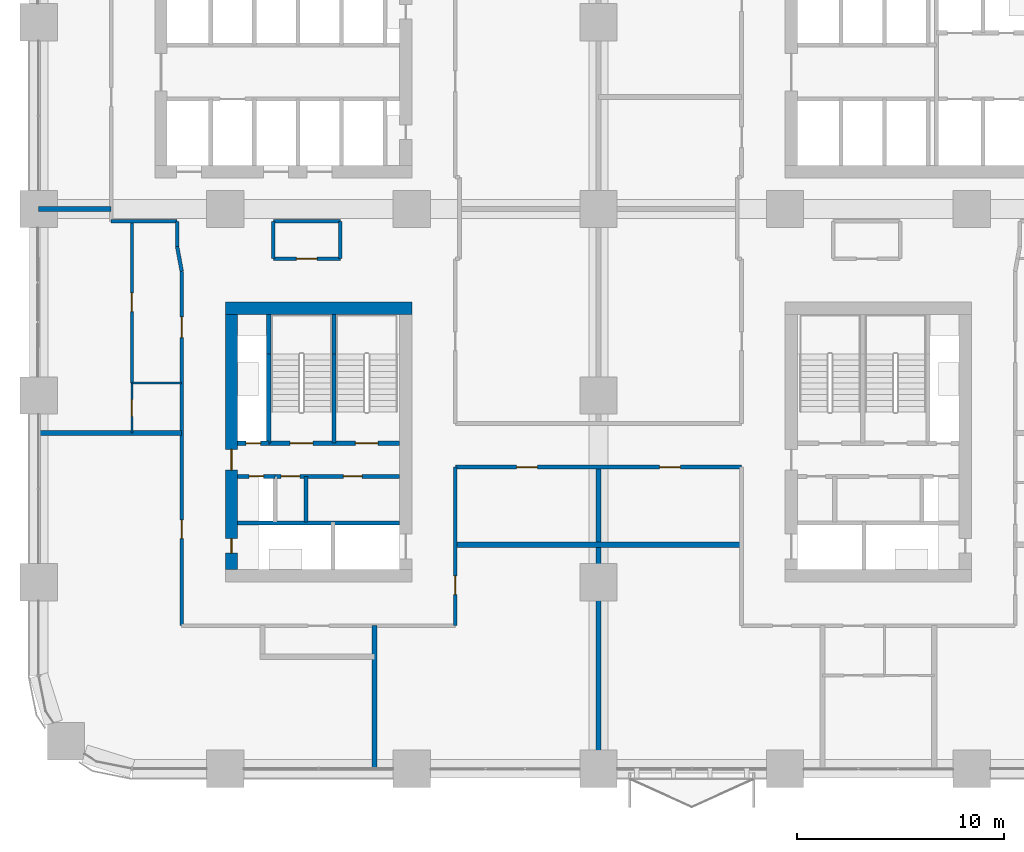
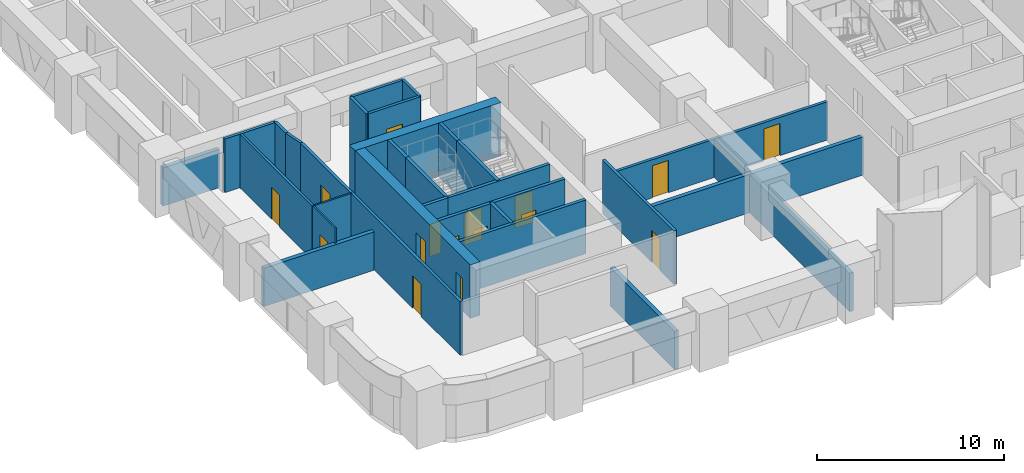
# One storey, part 13 of 22: 30 walls, 16 doors, 16 openings.
"""IFC4 building model written with IfcOpenShell, lengths in metres."""

from ifc_helpers import new_model, si_unit, direction, frame, frame_2d, origin, place, context, subcontext, project, spatial, rectangle, extrude, material, layer, layer_set, type_object, element, fill, save


model = new_model("IFC4")

# Units and contexts
model_context = context("Model", 3, precision=1e-05, world=origin(), true_north=direction((0.0, 1.0)))
body_context = subcontext(model_context, "Body", "Model", "MODEL_VIEW")
ifc_project = project(units=[si_unit("LENGTHUNIT", "METRE"), si_unit("AREAUNIT", "SQUARE_METRE"), si_unit("VOLUMEUNIT", "CUBIC_METRE"), si_unit("PLANEANGLEUNIT", "RADIAN"), si_unit("MASSUNIT", "GRAM", prefix="KILO")], contexts=[model_context])

# Site, building, storey
site_placement = place(None, origin())
site = spatial("IfcSite", under=ifc_project, at=site_placement, CompositionType="ELEMENT")
building_placement = place(site_placement, origin())
building = spatial("IfcBuilding", under=site, at=building_placement, Name="Tessera Arch", CompositionType="ELEMENT")
storey_placement = place(building_placement, frame((0.0, 0.0, 53.800048828125)))
storey = spatial("IfcBuildingStorey", under=building, at=storey_placement, Name="L11", CompositionType="ELEMENT", Elevation=53.800048828125)

# Wall
ifc_material_1 = material(Name="Gypsum board on steel stud", Category="steel")
ifc_layer_1 = layer(ifc_material_1, 0.125)
ifc_layer_set_1 = layer_set([ifc_layer_1], Name="Core partition 125 EI 60")
wall_type_1 = type_object("IfcWallType", Name="Core partition 125 EI 60", PredefinedType="PARTITIONING", material=ifc_layer_set_1)
wall_1_placement = place(storey_placement, frame((12.89990234375, 11.89990234375, 0.0), z_axis=(0.0, 0.0, 1.0), x_axis=(0.0, 1.0, 0.0)))
element("IfcWall", 1, at=wall_1_placement, inside=storey, type_object=wall_type_1, Name="L11 C4 partition wall 4", PredefinedType="PARTITIONING", context=body_context, shape_type="SweptSolid", body=[
    extrude(rectangle(XDim=2.2001953125, YDim=0.199951171875, at=frame_2d((1.10009765625, 0.0))), origin(), (0.0, 0.0, 1.0), 3.5),
])

# Wall, openings, doors
wall_2_placement = place(storey_placement, frame((11.39990234375, 14.10009765625, 0.0), z_axis=(0.0, 0.0, 1.0), x_axis=(1.0, 0.0, 0.0)))
wall_2 = element("IfcWall", 2, at=wall_2_placement, inside=storey, type_object=wall_type_1, Name="L11 C4 partition wall 9", PredefinedType="PARTITIONING", context=body_context, shape_type="SweptSolid", body=[
    extrude(rectangle(XDim=6.0, YDim=0.199951171875, at=frame_2d((3.0, 0.0))), origin(), (0.0, 0.0, 1.0), 3.5),
])
opening_1_placement = place(wall_2_placement, frame((0.300048828125, 0.0, 0.0)))
opening_1 = element("IfcOpeningElement", 3, at=opening_1_placement, cuts=wall_2, Name="Opening L11-C47", PredefinedType="OPENING", context=body_context, shape_type="SweptSolid", body=[
    extrude(rectangle(XDim=0.89990234375, YDim=2.10009765625, at=frame_2d((0.449951171875, 1.050048828125))), frame((0.0, 0.10986328125, 0.0), z_axis=(0.0, -1.0, 0.0), x_axis=(1.0, 0.0, 0.0)), (0.0, 0.0, 1.0), 0.219970703125),
])
opening_2_placement = place(wall_2_placement, frame((3.300048828125, 0.0, 0.0)))
opening_2 = element("IfcOpeningElement", 4, at=opening_2_placement, cuts=wall_2, Name="Opening L11-C48", PredefinedType="OPENING", context=body_context, shape_type="SweptSolid", body=[
    extrude(rectangle(XDim=0.89990234375, YDim=2.10009765625, at=frame_2d((0.449951171875, 1.050048828125))), frame((0.0, 0.10986328125, 0.0), z_axis=(0.0, -1.0, 0.0), x_axis=(1.0, 0.0, 0.0)), (0.0, 0.0, 1.0), 0.219970703125),
])
ifc_material_2 = material(Name="Steel door leaf", Category="steel")
door_type_1 = type_object("IfcDoorType", Name="Store door FD30S 900 x 2100", OperationType="SINGLE_SWING_LEFT", PredefinedType="DOOR", material=ifc_material_2)
door_1_placement = place(opening_1_placement, origin())
door_1 = element("IfcDoor", 5, at=door_1_placement, inside=storey, type_object=door_type_1, Name="L11 C4 door 8 C47 type D09", OperationType="SINGLE_SWING_LEFT", OverallHeight=2.10009765625, OverallWidth=0.89990234375, PredefinedType="DOOR", context=body_context, shape_type="SweptSolid", body=[
    extrude(rectangle(XDim=0.89990234375, YDim=2.10009765625, at=frame_2d((0.449951171875, 1.050048828125))), frame((0.0, 0.02490234375, 0.0), z_axis=(0.0, -1.0, 0.0), x_axis=(1.0, 0.0, 0.0)), (0.0, 0.0, 1.0), 0.050048828125),
])
fill(opening_1, door_1)
door_2_placement = place(opening_2_placement, origin())
door_2 = element("IfcDoor", 6, at=door_2_placement, inside=storey, type_object=door_type_1, Name="L11 C4 door 9 C48 type D09", OperationType="SINGLE_SWING_RIGHT", OverallHeight=2.10009765625, OverallWidth=0.89990234375, PredefinedType="DOOR", context=body_context, shape_type="SweptSolid", body=[
    extrude(rectangle(XDim=0.89990234375, YDim=2.10009765625, at=frame_2d((0.449951171875, 1.050048828125))), frame((0.0, 0.02490234375, 0.0), z_axis=(0.0, -1.0, 0.0), x_axis=(1.0, 0.0, 0.0)), (0.0, 0.0, 1.0), 0.050048828125),
])
fill(opening_2, door_2)

# Wall
ifc_material_3 = material(Name="Concrete C70/85", Category="concrete")
ifc_layer_2 = layer(ifc_material_3, 0.60009765625)
ifc_layer_set_2 = layer_set([ifc_layer_2], Name="Core shell wall 600 C70-85")
wall_type_2 = type_object("IfcWallType", Name="Core shell wall 600 C70-85", PredefinedType="SHEAR", material=ifc_layer_set_2)
wall_3_placement = place(storey_placement, frame((9.0, 22.199951171875, 0.0), z_axis=(0.0, 0.0, 1.0), x_axis=(1.0, 0.0, 0.0)))
element("IfcWall", 7, at=wall_3_placement, inside=storey, type_object=wall_type_2, Name="L11 C4 core wall N", PredefinedType="SHEAR", context=body_context, shape_type="SweptSolid", body=[
    extrude(rectangle(XDim=9.0, YDim=0.60009765625, at=frame_2d((4.5, 0.0))), origin(), (0.0, 0.0, 1.0), 3.5),
])

# Wall, openings, doors
wall_4_placement = place(storey_placement, frame((9.300048828125, 9.60009765625, 0.0), z_axis=(0.0, 0.0, 1.0), x_axis=(0.0, 1.0, 0.0)))
wall_4 = element("IfcWall", 8, at=wall_4_placement, inside=storey, type_object=wall_type_2, Name="L11 C4 core wall W", PredefinedType="SHEAR", context=body_context, shape_type="SweptSolid", body=[
    extrude(rectangle(XDim=12.2998046875, YDim=0.60009765625, at=frame_2d((6.14990234375, 0.0))), origin(), (0.0, 0.0, 1.0), 3.5),
])
opening_3_placement = place(wall_4_placement, frame((0.800048828125, 0.0, 0.0)))
opening_3 = element("IfcOpeningElement", 9, at=opening_3_placement, cuts=wall_4, Name="Opening L11-C45", PredefinedType="OPENING", context=body_context, shape_type="SweptSolid", body=[
    extrude(rectangle(XDim=0.699951171875, YDim=2.10009765625, at=frame_2d((0.35009765625, 1.050048828125))), frame((0.0, 0.31005859375, 0.0), z_axis=(0.0, -1.0, 0.0), x_axis=(1.0, 0.0, 0.0)), (0.0, 0.0, 1.0), 0.6201171875),
])
opening_4_placement = place(wall_4_placement, frame((4.800048828125, 0.0, 0.0)))
opening_4 = element("IfcOpeningElement", 10, at=opening_4_placement, cuts=wall_4, Name="Opening L11-C46", PredefinedType="OPENING", context=body_context, shape_type="SweptSolid", body=[
    extrude(rectangle(XDim=1.0, YDim=2.10009765625, at=frame_2d((0.5, 1.050048828125))), frame((0.0, 0.31005859375, 0.0), z_axis=(0.0, -1.0, 0.0), x_axis=(1.0, 0.0, 0.0)), (0.0, 0.0, 1.0), 0.6201171875),
])
ifc_material_4 = material(Name="Steel door leaf", Category="steel")
door_type_2 = type_object("IfcDoorType", Name="Corridor door FD60 1000 x 2100", OperationType="SINGLE_SWING_LEFT", PredefinedType="DOOR", material=ifc_material_4)
door_3_placement = place(opening_4_placement, origin())
door_3 = element("IfcDoor", 11, at=door_3_placement, inside=storey, type_object=door_type_2, Name="L11 C4 door 7 C46 type D12", OperationType="SINGLE_SWING_LEFT", OverallHeight=2.10009765625, OverallWidth=1.0, PredefinedType="DOOR", context=body_context, shape_type="SweptSolid", body=[
    extrude(rectangle(XDim=1.0, YDim=2.10009765625, at=frame_2d((0.5, 1.050048828125))), frame((0.0, 0.02490234375, 0.0), z_axis=(0.0, -1.0, 0.0), x_axis=(1.0, 0.0, 0.0)), (0.0, 0.0, 1.0), 0.050048828125),
])
fill(opening_4, door_3)
ifc_material_5 = material(Name="Steel door leaf", Category="steel")
door_type_3 = type_object("IfcDoorType", Name="Service shaft door FD60 700 x 2100", OperationType="SINGLE_SWING_LEFT", PredefinedType="DOOR", material=ifc_material_5)
door_4_placement = place(opening_3_placement, origin())
door_4 = element("IfcDoor", 12, at=door_4_placement, inside=storey, type_object=door_type_3, Name="L11 C4 door 6 C45 type D07", OperationType="SINGLE_SWING_LEFT", OverallHeight=2.10009765625, OverallWidth=0.699951171875, PredefinedType="DOOR", context=body_context, shape_type="SweptSolid", body=[
    extrude(rectangle(XDim=0.699951171875, YDim=2.10009765625, at=frame_2d((0.35009765625, 1.050048828125))), frame((0.0, 0.02490234375, 0.0), z_axis=(0.0, -1.0, 0.0), x_axis=(1.0, 0.0, 0.0)), (0.0, 0.0, 1.0), 0.050048828125),
])
fill(opening_3, door_4)

ifc_material_6 = material(Name="Gypsum board on deep steel stud with mineral wool", Category="steel")
ifc_layer_3 = layer(ifc_material_6, 0.175048828125)
ifc_layer_set_3 = layer_set([ifc_layer_3], Name="Corridor wall 175 EI 60")
wall_type_3 = type_object("IfcWallType", Name="Corridor wall 175 EI 60", PredefinedType="PARTITIONING", material=ifc_layer_set_3)
wall_5_placement = place(storey_placement, frame((20.10009765625, 14.550048828125, 0.0), z_axis=(0.0, 0.0, 1.0), x_axis=(1.0, 0.0, 0.0)))
wall_5 = element("IfcWall", 13, at=wall_5_placement, inside=storey, type_object=wall_type_3, Name="L11 partition 3", PredefinedType="PARTITIONING", context=body_context, shape_type="SweptSolid", body=[
    extrude(rectangle(XDim=13.7998046875, YDim=0.175048828125, at=frame_2d((6.89990234375, 0.0))), origin(), (0.0, 0.0, 1.0), 2.5),
])
opening_5_placement = place(wall_5_placement, frame((2.949951171875, 0.0, 0.0)))
opening_5 = element("IfcOpeningElement", 14, at=opening_5_placement, cuts=wall_5, Name="Opening L11-D009", PredefinedType="OPENING", context=body_context, shape_type="SweptSolid", body=[
    extrude(rectangle(XDim=1.0, YDim=2.10009765625, at=frame_2d((0.5, 1.050048828125))), frame((0.0, 0.097412109375, 0.0), z_axis=(0.0, -1.0, 0.0), x_axis=(1.0, 0.0, 0.0)), (0.0, 0.0, 1.0), 0.195068359375),
])
opening_6_placement = place(wall_5_placement, frame((9.85009765625, 0.0, 0.0)))
opening_6 = element("IfcOpeningElement", 15, at=opening_6_placement, cuts=wall_5, Name="Opening L11-D010", PredefinedType="OPENING", context=body_context, shape_type="SweptSolid", body=[
    extrude(rectangle(XDim=1.0, YDim=2.10009765625, at=frame_2d((0.5, 1.050048828125))), frame((0.0, 0.097412109375, 0.0), z_axis=(0.0, -1.0, 0.0), x_axis=(1.0, 0.0, 0.0)), (0.0, 0.0, 1.0), 0.195068359375),
])
ifc_material_7 = material(Name="Fire-rated door leaf")
door_type_4 = type_object("IfcDoorType", Name="Entrance door FD30S 1000 x 2100", OperationType="SINGLE_SWING_LEFT", PredefinedType="DOOR", material=ifc_material_7)
door_5_placement = place(opening_5_placement, origin())
door_5 = element("IfcDoor", 16, at=door_5_placement, inside=storey, type_object=door_type_4, Name="L11 door D009 type D03", OperationType="SINGLE_SWING_RIGHT", OverallHeight=2.10009765625, OverallWidth=1.0, PredefinedType="DOOR", context=body_context, shape_type="SweptSolid", body=[
    extrude(rectangle(XDim=1.0, YDim=2.10009765625, at=frame_2d((0.5, 1.050048828125))), frame((0.0, 0.02490234375, 0.0), z_axis=(0.0, -1.0, 0.0), x_axis=(1.0, 0.0, 0.0)), (0.0, 0.0, 1.0), 0.050048828125),
])
fill(opening_5, door_5)
door_6_placement = place(opening_6_placement, origin())
door_6 = element("IfcDoor", 17, at=door_6_placement, inside=storey, type_object=door_type_4, Name="L11 door D010 type D03", OperationType="SINGLE_SWING_LEFT", OverallHeight=2.10009765625, OverallWidth=1.0, PredefinedType="DOOR", context=body_context, shape_type="SweptSolid", body=[
    extrude(rectangle(XDim=1.0, YDim=2.10009765625, at=frame_2d((0.5, 1.050048828125))), frame((0.0, 0.02490234375, 0.0), z_axis=(0.0, -1.0, 0.0), x_axis=(1.0, 0.0, 0.0)), (0.0, 0.0, 1.0), 0.050048828125),
])
fill(opening_6, door_6)

# Wall, opening, door
wall_6_placement = place(storey_placement, frame((11.320068359375, 24.60009765625, 0.0), z_axis=(0.0, 0.0, 1.0), x_axis=(1.0, 0.0, 0.0)))
wall_6 = element("IfcWall", 18, at=wall_6_placement, inside=storey, type_object=wall_type_3, Name="L11 partition 7", PredefinedType="PARTITIONING", context=body_context, shape_type="SweptSolid", body=[
    extrude(rectangle(XDim=3.22998046875, YDim=0.175048828125, at=frame_2d((1.614990234375, 0.0))), origin(), (0.0, 0.0, 1.0), 3.5),
])
opening_7_placement = place(wall_6_placement, frame((1.114990234375, 0.0, 0.0)))
opening_7 = element("IfcOpeningElement", 19, at=opening_7_placement, cuts=wall_6, Name="Opening L11-D022", PredefinedType="OPENING", context=body_context, shape_type="SweptSolid", body=[
    extrude(rectangle(XDim=1.0, YDim=2.10009765625, at=frame_2d((0.5, 1.050048828125))), frame((0.0, 0.097412109375, 0.0), z_axis=(0.0, -1.0, 0.0), x_axis=(1.0, 0.0, 0.0)), (0.0, 0.0, 1.0), 0.195068359375),
])
door_7_placement = place(opening_7_placement, origin())
door_7 = element("IfcDoor", 20, at=door_7_placement, inside=storey, type_object=door_type_4, Name="L11 door D022 type D03", OperationType="SINGLE_SWING_RIGHT", OverallHeight=2.10009765625, OverallWidth=1.0, PredefinedType="DOOR", context=body_context, shape_type="SweptSolid", body=[
    extrude(rectangle(XDim=1.0, YDim=2.10009765625, at=frame_2d((0.5, 1.050048828125))), frame((0.0, 0.02490234375, 0.0), z_axis=(0.0, -1.0, 0.0), x_axis=(1.0, 0.0, 0.0)), (0.0, 0.0, 1.0), 0.050048828125),
])
fill(opening_7, door_7)

# Walls
wall_7_placement = place(storey_placement, frame((3.5, 26.39990234375, 0.0), z_axis=(0.0, 0.0, 1.0), x_axis=(1.0, 0.0, 0.0)))
element("IfcWall", 21, at=wall_7_placement, inside=storey, type_object=wall_type_3, Name="L11 partition 9", PredefinedType="PARTITIONING", context=body_context, shape_type="SweptSolid", body=[
    extrude(rectangle(XDim=3.179931640625, YDim=0.175048828125, at=frame_2d((1.58984375, 0.0))), origin(), (0.0, 0.0, 1.0), 3.5),
])
wall_8_placement = place(storey_placement, frame((11.320068359375, 26.39990234375, 0.0), z_axis=(0.0, 0.0, 1.0), x_axis=(1.0, 0.0, 0.0)))
element("IfcWall", 22, at=wall_8_placement, inside=storey, type_object=wall_type_3, Name="L11 partition 10", PredefinedType="PARTITIONING", context=body_context, shape_type="SweptSolid", body=[
    extrude(rectangle(XDim=3.22998046875, YDim=0.175048828125, at=frame_2d((1.614990234375, 0.0))), origin(), (0.0, 0.0, 1.0), 3.5),
])
wall_9_placement = place(storey_placement, frame((6.679931640625, 25.18994140625, 0.0), z_axis=(0.0, 0.0, 1.0), x_axis=(0.0, 1.0, 0.0)))
element("IfcWall", 23, at=wall_9_placement, inside=storey, type_object=wall_type_3, Name="L11 partition 20", PredefinedType="PARTITIONING", context=body_context, shape_type="SweptSolid", body=[
    extrude(rectangle(XDim=1.2099609375, YDim=0.175048828125, at=frame_2d((0.60498046875, 0.0))), origin(), (0.0, 0.0, 1.0), 3.5),
])

# Wall, openings, doors
wall_10_placement = place(storey_placement, frame((6.89990234375, 6.89990234375, 0.0), z_axis=(0.0, 0.0, 1.0), x_axis=(0.0, 1.0, 0.0)))
wall_10 = element("IfcWall", 24, at=wall_10_placement, inside=storey, type_object=wall_type_3, Name="L11 partition 21", PredefinedType="PARTITIONING", context=body_context, shape_type="SweptSolid", body=[
    extrude(rectangle(XDim=17.090087890625, YDim=0.175048828125, at=frame_2d((8.544921875, 0.0))), origin(), (0.0, 0.0, 1.0), 3.5),
])
opening_8_placement = place(wall_10_placement, frame((4.199951171875, 0.0, 0.0)))
opening_8 = element("IfcOpeningElement", 25, at=opening_8_placement, cuts=wall_10, Name="Opening L11-D008", PredefinedType="OPENING", context=body_context, shape_type="SweptSolid", body=[
    extrude(rectangle(XDim=0.89990234375, YDim=2.10009765625, at=frame_2d((0.449951171875, 1.050048828125))), frame((0.0, 0.097412109375, 0.0), z_axis=(0.0, -1.0, 0.0), x_axis=(1.0, 0.0, 0.0)), (0.0, 0.0, 1.0), 0.195068359375),
])
opening_9_placement = place(wall_10_placement, frame((13.89501953125, 0.0, 0.0)))
opening_9 = element("IfcOpeningElement", 26, at=opening_9_placement, cuts=wall_10, Name="Opening L11-D014", PredefinedType="OPENING", context=body_context, shape_type="SweptSolid", body=[
    extrude(rectangle(XDim=1.0, YDim=2.10009765625, at=frame_2d((0.5, 1.050048828125))), frame((0.0, 0.097412109375, 0.0), z_axis=(0.0, -1.0, 0.0), x_axis=(1.0, 0.0, 0.0)), (0.0, 0.0, 1.0), 0.195068359375),
])
door_8_placement = place(opening_9_placement, origin())
door_8 = element("IfcDoor", 27, at=door_8_placement, inside=storey, type_object=door_type_4, Name="L11 door D014 type D03", OperationType="SINGLE_SWING_RIGHT", OverallHeight=2.10009765625, OverallWidth=1.0, PredefinedType="DOOR", context=body_context, shape_type="SweptSolid", body=[
    extrude(rectangle(XDim=1.0, YDim=2.10009765625, at=frame_2d((0.5, 1.050048828125))), frame((0.0, 0.02490234375, 0.0), z_axis=(0.0, -1.0, 0.0), x_axis=(1.0, 0.0, 0.0)), (0.0, 0.0, 1.0), 0.050048828125),
])
fill(opening_9, door_8)
ifc_material_8 = material(Name="Timber door leaf", Category="wood")
door_type_5 = type_object("IfcDoorType", Name="Room door 900 x 2100", OperationType="SINGLE_SWING_LEFT", PredefinedType="DOOR", material=ifc_material_8)
door_9_placement = place(opening_8_placement, origin())
door_9 = element("IfcDoor", 28, at=door_9_placement, inside=storey, type_object=door_type_5, Name="L11 door D008 type D01", OperationType="SINGLE_SWING_RIGHT", OverallHeight=2.10009765625, OverallWidth=0.89990234375, PredefinedType="DOOR", context=body_context, shape_type="SweptSolid", body=[
    extrude(rectangle(XDim=0.89990234375, YDim=2.10009765625, at=frame_2d((0.449951171875, 1.050048828125))), frame((0.0, 0.02490234375, 0.0), z_axis=(0.0, -1.0, 0.0), x_axis=(1.0, 0.0, 0.0)), (0.0, 0.0, 1.0), 0.050048828125),
])
fill(opening_8, door_9)

# Walls
for number, where, z_axis, x_axis, name in (
    (29, (11.320068359375, 24.60009765625, 0.0), (0.0, 0.0, 1.0), (0.0, 1.0, 0.0), "L11 partition 22"),
    (30, (14.550048828125, 24.60009765625, 0.0), (0.0, 0.0, 1.0), (0.0, 1.0, 0.0), "L11 partition 23"),
):
    element("IfcWall", number, at=place(storey_placement, frame(where, z_axis=z_axis, x_axis=x_axis)), inside=storey, type_object=wall_type_3, Name=name, PredefinedType="PARTITIONING", context=body_context, shape_type="SweptSolid", body=[
        extrude(rectangle(XDim=1.7998046875, YDim=0.175048828125, at=frame_2d((0.89990234375, 0.0))), origin(), (0.0, 0.0, 1.0), 3.5),
    ])

# Wall, opening, door
wall_11_placement = place(storey_placement, frame((20.10009765625, 6.89990234375, 0.0), z_axis=(0.0, 0.0, 1.0), x_axis=(0.0, 1.0, 0.0)))
wall_11 = element("IfcWall", 31, at=wall_11_placement, inside=storey, type_object=wall_type_3, Name="L11 partition 24", PredefinedType="PARTITIONING", context=body_context, shape_type="SweptSolid", body=[
    extrude(rectangle(XDim=7.650146484375, YDim=0.175048828125, at=frame_2d((3.8251953125, 0.0))), origin(), (0.0, 0.0, 1.0), 3.5),
])
opening_10_placement = place(wall_11_placement, frame((1.5, 0.0, 0.0)))
opening_10 = element("IfcOpeningElement", 32, at=opening_10_placement, cuts=wall_11, Name="Opening L11-D004", PredefinedType="OPENING", context=body_context, shape_type="SweptSolid", body=[
    extrude(rectangle(XDim=0.89990234375, YDim=2.10009765625, at=frame_2d((0.449951171875, 1.050048828125))), frame((0.0, 0.097412109375, 0.0), z_axis=(0.0, -1.0, 0.0), x_axis=(1.0, 0.0, 0.0)), (0.0, 0.0, 1.0), 0.195068359375),
])
door_10_placement = place(opening_10_placement, origin())
door_10 = element("IfcDoor", 33, at=door_10_placement, inside=storey, type_object=door_type_5, Name="L11 door D004 type D01", OperationType="SINGLE_SWING_LEFT", OverallHeight=2.10009765625, OverallWidth=0.89990234375, PredefinedType="DOOR", context=body_context, shape_type="SweptSolid", body=[
    extrude(rectangle(XDim=0.89990234375, YDim=2.10009765625, at=frame_2d((0.449951171875, 1.050048828125))), frame((0.0, 0.02490234375, 0.0), z_axis=(0.0, -1.0, 0.0), x_axis=(1.0, 0.0, 0.0)), (0.0, 0.0, 1.0), 0.050048828125),
])
fill(opening_10, door_10)

# Wall
wall_12_placement = place(storey_placement, frame((6.89990234375, 23.989990234375, 0.0), z_axis=(0.0, 0.0, 1.0), x_axis=(-0.180311734132, 0.983609515272, 0.0)))
element("IfcWall", 34, at=wall_12_placement, inside=storey, type_object=wall_type_3, Name="L11 partition 76", PredefinedType="PARTITIONING", context=body_context, shape_type="SweptSolid", body=[
    extrude(rectangle(XDim=1.219970703125, YDim=0.175048828125, at=frame_2d((0.60986328125, 0.0))), origin(), (0.0, 0.0, 1.0), 3.5),
])

# Wall, opening, door
ifc_material_9 = material(Name="Gypsum board on steel stud", Category="steel")
ifc_layer_4 = layer(ifc_material_9, 0.14990234375)
ifc_layer_set_4 = layer_set([ifc_layer_4], Name="Partition 150")
wall_type_4 = type_object("IfcWallType", Name="Partition 150", PredefinedType="PARTITIONING", material=ifc_layer_set_4)
wall_13_placement = place(storey_placement, frame((4.5, 18.60009765625, 0.0), z_axis=(0.0, 0.0, 1.0), x_axis=(0.0, 1.0, 0.0)))
wall_13 = element("IfcWall", 35, at=wall_13_placement, inside=storey, type_object=wall_type_4, Name="L11 partition 40", PredefinedType="PARTITIONING", context=body_context, shape_type="SweptSolid", body=[
    extrude(rectangle(XDim=7.7998046875, YDim=0.14990234375, at=frame_2d((3.89990234375, 0.0))), origin(), (0.0, 0.0, 1.0), 3.5),
])
opening_11_placement = place(wall_13_placement, frame((3.449951171875, 0.0, 0.0)))
opening_11 = element("IfcOpeningElement", 36, at=opening_11_placement, cuts=wall_13, Name="Opening L11-D015", PredefinedType="OPENING", context=body_context, shape_type="SweptSolid", body=[
    extrude(rectangle(XDim=0.89990234375, YDim=2.10009765625, at=frame_2d((0.449951171875, 1.050048828125))), frame((0.0, 0.0849609375, 0.0), z_axis=(0.0, -1.0, 0.0), x_axis=(1.0, 0.0, 0.0)), (0.0, 0.0, 1.0), 0.169921875),
])
door_11_placement = place(opening_11_placement, origin())
door_11 = element("IfcDoor", 37, at=door_11_placement, inside=storey, type_object=door_type_5, Name="L11 door D015 type D01", OperationType="SINGLE_SWING_LEFT", OverallHeight=2.10009765625, OverallWidth=0.89990234375, PredefinedType="DOOR", context=body_context, shape_type="SweptSolid", body=[
    extrude(rectangle(XDim=0.89990234375, YDim=2.10009765625, at=frame_2d((0.449951171875, 1.050048828125))), frame((0.0, 0.02490234375, 0.0), z_axis=(0.0, -1.0, 0.0), x_axis=(1.0, 0.0, 0.0)), (0.0, 0.0, 1.0), 0.050048828125),
])
fill(opening_11, door_11)

# Walls
ifc_material_10 = material(Name="Double gypsum board on twin steel stud with acoustic mineral wool", Category="steel")
ifc_layer_5 = layer(ifc_material_10, 0.25)
ifc_layer_set_5 = layer_set([ifc_layer_5], Name="Party wall 250 EI 60")
wall_type_5 = type_object("IfcWallType", Name="Party wall 250 EI 60", PredefinedType="PARTITIONING", material=ifc_layer_set_5)
wall_14_placement = place(storey_placement, frame((20.10009765625, 10.800048828125, 0.0), z_axis=(0.0, 0.0, 1.0), x_axis=(1.0, 0.0, 0.0)))
element("IfcWall", 38, at=wall_14_placement, inside=storey, type_object=wall_type_5, Name="L11 partition 44", PredefinedType="PARTITIONING", context=body_context, shape_type="SweptSolid", body=[
    extrude(rectangle(XDim=13.7998046875, YDim=0.25, at=frame_2d((6.89990234375, 0.0))), origin(), (0.0, 0.0, 1.0), 2.5),
])
wall_15_placement = place(storey_placement, frame((0.0, 16.199951171875, 0.0), z_axis=(0.0, 0.0, 1.0), x_axis=(1.0, 0.0, 0.0)))
element("IfcWall", 39, at=wall_15_placement, inside=storey, type_object=wall_type_5, Name="L11 partition 46", PredefinedType="PARTITIONING", context=body_context, shape_type="SweptSolid", body=[
    extrude(rectangle(XDim=6.89990234375, YDim=0.25, at=frame_2d((3.449951171875, 0.0))), origin(), (0.0, 0.0, 1.0), 2.5),
])
wall_16_placement = place(storey_placement, frame((0.0, 27.0, 0.0), z_axis=(0.0, 0.0, 1.0), x_axis=(1.0, 0.0, 0.0)))
element("IfcWall", 40, at=wall_16_placement, inside=storey, type_object=wall_type_5, Name="L11 partition 48", PredefinedType="PARTITIONING", context=body_context, shape_type="SweptSolid", body=[
    extrude(rectangle(XDim=3.5, YDim=0.25, at=frame_2d((1.75, 0.0))), origin(), (0.0, 0.0, 1.0), 2.5),
])
wall_17_placement = place(storey_placement, frame((16.199951171875, 0.0, 0.0), z_axis=(0.0, 0.0, 1.0), x_axis=(0.0, 1.0, 0.0)))
element("IfcWall", 41, at=wall_17_placement, inside=storey, type_object=wall_type_5, Name="L11 partition 59", PredefinedType="PARTITIONING", context=body_context, shape_type="SweptSolid", body=[
    extrude(rectangle(XDim=6.89990234375, YDim=0.25, at=frame_2d((3.449951171875, 0.0))), origin(), (0.0, 0.0, 1.0), 2.5),
])
wall_18_placement = place(storey_placement, frame((27.0, 0.0, 0.0), z_axis=(0.0, 0.0, 1.0), x_axis=(0.0, 1.0, 0.0)))
element("IfcWall", 42, at=wall_18_placement, inside=storey, type_object=wall_type_5, Name="L11 partition 61", PredefinedType="PARTITIONING", context=body_context, shape_type="SweptSolid", body=[
    extrude(rectangle(XDim=14.550048828125, YDim=0.25, at=frame_2d((7.27490234375, 0.0))), origin(), (0.0, 0.0, 1.0), 2.5),
])
ifc_material_11 = material(Name="Concrete C40/50", Category="concrete")
ifc_layer_6 = layer(ifc_material_11, 0.199951171875)
ifc_layer_set_6 = layer_set([ifc_layer_6], Name="Shaft wall 200 EI 120")
wall_type_6 = type_object("IfcWallType", Name="Shaft wall 200 EI 120", PredefinedType="SOLIDWALL", material=ifc_layer_set_6)
wall_19_placement = place(storey_placement, frame((9.60009765625, 11.85009765625, 0.0), z_axis=(0.0, 0.0, 1.0), x_axis=(1.0, 0.0, 0.0)))
element("IfcWall", 43, at=wall_19_placement, inside=storey, type_object=wall_type_6, Name="L11 C4 shaft wall 8", PredefinedType="SOLIDWALL", context=body_context, shape_type="SweptSolid", body=[
    extrude(rectangle(XDim=7.7998046875, YDim=0.199951171875, at=frame_2d((3.89990234375, 0.0))), origin(), (0.0, 0.0, 1.0), 3.5),
])

# Wall, opening, door
wall_20_placement = place(storey_placement, frame((9.60009765625, 14.10009765625, 0.0), z_axis=(0.0, 0.0, 1.0), x_axis=(1.0, 0.0, 0.0)))
wall_20 = element("IfcWall", 44, at=wall_20_placement, inside=storey, type_object=wall_type_6, Name="L11 C4 shaft wall 10", PredefinedType="SOLIDWALL", context=body_context, shape_type="SweptSolid", body=[
    extrude(rectangle(XDim=1.7998046875, YDim=0.199951171875, at=frame_2d((0.89990234375, 0.0))), origin(), (0.0, 0.0, 1.0), 3.5),
])
opening_12_placement = place(wall_20_placement, frame((0.550048828125, 0.0, 0.0)))
opening_12 = element("IfcOpeningElement", 45, at=opening_12_placement, cuts=wall_20, Name="Opening L11-C44", PredefinedType="OPENING", context=body_context, shape_type="SweptSolid", body=[
    extrude(rectangle(XDim=0.699951171875, YDim=2.10009765625, at=frame_2d((0.35009765625, 1.050048828125))), frame((0.0, 0.10986328125, 0.0), z_axis=(0.0, -1.0, 0.0), x_axis=(1.0, 0.0, 0.0)), (0.0, 0.0, 1.0), 0.219970703125),
])
door_12_placement = place(opening_12_placement, origin())
door_12 = element("IfcDoor", 46, at=door_12_placement, inside=storey, type_object=door_type_3, Name="L11 C4 door 5 C44 type D07", OperationType="SINGLE_SWING_LEFT", OverallHeight=2.10009765625, OverallWidth=0.699951171875, PredefinedType="DOOR", context=body_context, shape_type="SweptSolid", body=[
    extrude(rectangle(XDim=0.699951171875, YDim=2.10009765625, at=frame_2d((0.35009765625, 1.050048828125))), frame((0.0, 0.02490234375, 0.0), z_axis=(0.0, -1.0, 0.0), x_axis=(1.0, 0.0, 0.0)), (0.0, 0.0, 1.0), 0.050048828125),
])
fill(opening_12, door_12)

wall_21_placement = place(storey_placement, frame((9.60009765625, 15.699951171875, 0.0), z_axis=(0.0, 0.0, 1.0), x_axis=(1.0, 0.0, 0.0)))
wall_21 = element("IfcWall", 47, at=wall_21_placement, inside=storey, type_object=wall_type_6, Name="L11 C4 shaft wall 11", PredefinedType="SOLIDWALL", context=body_context, shape_type="SweptSolid", body=[
    extrude(rectangle(XDim=1.5, YDim=0.199951171875, at=frame_2d((0.75, 0.0))), origin(), (0.0, 0.0, 1.0), 3.5),
])
opening_13_placement = place(wall_21_placement, frame((0.39990234375, 0.0, 0.0)))
opening_13 = element("IfcOpeningElement", 48, at=opening_13_placement, cuts=wall_21, Name="Opening L11-C43", PredefinedType="OPENING", context=body_context, shape_type="SweptSolid", body=[
    extrude(rectangle(XDim=0.699951171875, YDim=2.10009765625, at=frame_2d((0.35009765625, 1.050048828125))), frame((0.0, 0.10986328125, 0.0), z_axis=(0.0, -1.0, 0.0), x_axis=(1.0, 0.0, 0.0)), (0.0, 0.0, 1.0), 0.219970703125),
])
door_13_placement = place(opening_13_placement, origin())
door_13 = element("IfcDoor", 49, at=door_13_placement, inside=storey, type_object=door_type_3, Name="L11 C4 door 4 C43 type D07", OperationType="SINGLE_SWING_LEFT", OverallHeight=2.10009765625, OverallWidth=0.699951171875, PredefinedType="DOOR", context=body_context, shape_type="SweptSolid", body=[
    extrude(rectangle(XDim=0.699951171875, YDim=2.10009765625, at=frame_2d((0.35009765625, 1.050048828125))), frame((0.0, 0.02490234375, 0.0), z_axis=(0.0, -1.0, 0.0), x_axis=(1.0, 0.0, 0.0)), (0.0, 0.0, 1.0), 0.050048828125),
])
fill(opening_13, door_13)

# Walls
ifc_material_12 = material(Name="Concrete C40/50", Category="concrete")
ifc_layer_7 = layer(ifc_material_12, 0.199951171875)
ifc_layer_set_7 = layer_set([ifc_layer_7], Name="Stair well wall 200 REI 180")
wall_type_7 = type_object("IfcWallType", Name="Stair well wall 200 REI 180", PredefinedType="SOLIDWALL", material=ifc_layer_set_7)
wall_22_placement = place(storey_placement, frame((11.10009765625, 15.699951171875, 0.0), z_axis=(0.0, 0.0, 1.0), x_axis=(0.0, 1.0, 0.0)))
element("IfcWall", 50, at=wall_22_placement, inside=storey, type_object=wall_type_7, Name="L11 C4 shaft wall 1", PredefinedType="SOLIDWALL", context=body_context, shape_type="SweptSolid", body=[
    extrude(rectangle(XDim=4.300048828125, YDim=0.199951171875, at=frame_2d((2.14990234375, 0.0))), origin(), (0.0, 0.0, 1.0), 3.5),
])
wall_23_placement = place(storey_placement, frame((11.10009765625, 20.0, 0.0), z_axis=(0.0, 0.0, 1.0), x_axis=(0.0, 1.0, 0.0)))
element("IfcWall", 51, at=wall_23_placement, inside=storey, type_object=wall_type_7, Name="L11 C4 shaft wall 2", PredefinedType="SOLIDWALL", context=body_context, shape_type="SweptSolid", body=[
    extrude(rectangle(XDim=1.89990234375, YDim=0.199951171875, at=frame_2d((0.949951171875, 0.0))), origin(), (0.0, 0.0, 1.0), 3.5),
])
wall_24_placement = place(storey_placement, frame((14.25, 15.699951171875, 0.0), z_axis=(0.0, 0.0, 1.0), x_axis=(0.0, 1.0, 0.0)))
element("IfcWall", 52, at=wall_24_placement, inside=storey, type_object=wall_type_7, Name="L11 C4 shaft wall 6", PredefinedType="SOLIDWALL", context=body_context, shape_type="SweptSolid", body=[
    extrude(rectangle(XDim=4.300048828125, YDim=0.199951171875, at=frame_2d((2.14990234375, 0.0))), origin(), (0.0, 0.0, 1.0), 3.5),
])
wall_25_placement = place(storey_placement, frame((14.25, 20.0, 0.0), z_axis=(0.0, 0.0, 1.0), x_axis=(0.0, 1.0, 0.0)))
element("IfcWall", 53, at=wall_25_placement, inside=storey, type_object=wall_type_7, Name="L11 C4 shaft wall 7", PredefinedType="SOLIDWALL", context=body_context, shape_type="SweptSolid", body=[
    extrude(rectangle(XDim=1.89990234375, YDim=0.199951171875, at=frame_2d((0.949951171875, 0.0))), origin(), (0.0, 0.0, 1.0), 3.5),
])

# Wall, openings, doors
wall_26_placement = place(storey_placement, frame((11.10009765625, 15.699951171875, 0.0), z_axis=(0.0, 0.0, 1.0), x_axis=(1.0, 0.0, 0.0)))
wall_26 = element("IfcWall", 54, at=wall_26_placement, inside=storey, type_object=wall_type_7, Name="L11 C4 shaft wall 12", PredefinedType="SOLIDWALL", context=body_context, shape_type="SweptSolid", body=[
    extrude(rectangle(XDim=6.2998046875, YDim=0.199951171875, at=frame_2d((3.14990234375, 0.0))), origin(), (0.0, 0.0, 1.0), 3.5),
])
opening_14_placement = place(wall_26_placement, frame((4.175048828125, 0.0, 0.0)))
opening_14 = element("IfcOpeningElement", 55, at=opening_14_placement, cuts=wall_26, Name="Opening L11-C41", PredefinedType="OPENING", context=body_context, shape_type="SweptSolid", body=[
    extrude(rectangle(XDim=1.10009765625, YDim=2.10009765625, at=frame_2d((0.550048828125, 1.050048828125))), frame((0.0, 0.10986328125, 0.0), z_axis=(0.0, -1.0, 0.0), x_axis=(1.0, 0.0, 0.0)), (0.0, 0.0, 1.0), 0.219970703125),
])
opening_15_placement = place(wall_26_placement, frame((1.02490234375, 0.0, 0.0)))
opening_15 = element("IfcOpeningElement", 56, at=opening_15_placement, cuts=wall_26, Name="Opening L11-C42", PredefinedType="OPENING", context=body_context, shape_type="SweptSolid", body=[
    extrude(rectangle(XDim=1.10009765625, YDim=2.10009765625, at=frame_2d((0.550048828125, 1.050048828125))), frame((0.0, 0.10986328125, 0.0), z_axis=(0.0, -1.0, 0.0), x_axis=(1.0, 0.0, 0.0)), (0.0, 0.0, 1.0), 0.219970703125),
])
ifc_material_13 = material(Name="Steel door leaf", Category="steel")
door_type_6 = type_object("IfcDoorType", Name="Stair door FD60 1100 x 2100", OperationType="SINGLE_SWING_LEFT", PredefinedType="DOOR", material=ifc_material_13)
door_14_placement = place(opening_14_placement, origin())
door_14 = element("IfcDoor", 57, at=door_14_placement, inside=storey, type_object=door_type_6, Name="L11 C4 door 2 C41 type D05", OperationType="SINGLE_SWING_RIGHT", OverallHeight=2.10009765625, OverallWidth=1.10009765625, PredefinedType="DOOR", context=body_context, shape_type="SweptSolid", body=[
    extrude(rectangle(XDim=1.10009765625, YDim=2.10009765625, at=frame_2d((0.550048828125, 1.050048828125))), frame((0.0, 0.02490234375, 0.0), z_axis=(0.0, -1.0, 0.0), x_axis=(1.0, 0.0, 0.0)), (0.0, 0.0, 1.0), 0.050048828125),
])
fill(opening_14, door_14)
door_15_placement = place(opening_15_placement, origin())
door_15 = element("IfcDoor", 58, at=door_15_placement, inside=storey, type_object=door_type_6, Name="L11 C4 door 3 C42 type D05", OperationType="SINGLE_SWING_LEFT", OverallHeight=2.10009765625, OverallWidth=1.10009765625, PredefinedType="DOOR", context=body_context, shape_type="SweptSolid", body=[
    extrude(rectangle(XDim=1.10009765625, YDim=2.10009765625, at=frame_2d((0.550048828125, 1.050048828125))), frame((0.0, 0.02490234375, 0.0), z_axis=(0.0, -1.0, 0.0), x_axis=(1.0, 0.0, 0.0)), (0.0, 0.0, 1.0), 0.050048828125),
])
fill(opening_15, door_15)

# Wall
ifc_material_14 = material(Name="Moisture-resistant board on pre-plumbed steel stud", Category="steel")
ifc_layer_8 = layer(ifc_material_14, 0.10009765625)
ifc_layer_set_8 = layer_set([ifc_layer_8], Name="Wet wall 100")
wall_type_8 = type_object("IfcWallType", Name="Wet wall 100", PredefinedType="PARTITIONING", material=ifc_layer_set_8)
wall_27_placement = place(storey_placement, frame((4.5, 18.60009765625, 0.0), z_axis=(0.0, 0.0, 1.0), x_axis=(1.0, 0.0, 0.0)))
element("IfcWall", 59, at=wall_27_placement, inside=storey, type_object=wall_type_8, Name="L11 partition 70", PredefinedType="PARTITIONING", context=body_context, shape_type="SweptSolid", body=[
    extrude(rectangle(XDim=2.39990234375, YDim=0.10009765625, at=frame_2d((1.199951171875, 0.0))), origin(), (0.0, 0.0, 1.0), 3.5),
])

# Wall, opening, door
wall_28_placement = place(storey_placement, frame((4.5, 16.199951171875, 0.0), z_axis=(0.0, 0.0, 1.0), x_axis=(0.0, 1.0, 0.0)))
wall_28 = element("IfcWall", 60, at=wall_28_placement, inside=storey, type_object=wall_type_8, Name="L11 partition 72", PredefinedType="PARTITIONING", context=body_context, shape_type="SweptSolid", body=[
    extrude(rectangle(XDim=2.400146484375, YDim=0.10009765625, at=frame_2d((1.2001953125, 0.0))), origin(), (0.0, 0.0, 1.0), 3.5),
])
opening_16_placement = place(wall_28_placement, frame((0.800048828125, 0.0, 0.0)))
opening_16 = element("IfcOpeningElement", 61, at=opening_16_placement, cuts=wall_28, Name="Opening L11-D016", PredefinedType="OPENING", context=body_context, shape_type="SweptSolid", body=[
    extrude(rectangle(XDim=0.800048828125, YDim=2.10009765625, at=frame_2d((0.39990234375, 1.050048828125))), frame((0.0, 0.06005859375, 0.0), z_axis=(0.0, -1.0, 0.0), x_axis=(1.0, 0.0, 0.0)), (0.0, 0.0, 1.0), 0.1201171875),
])
ifc_material_15 = material(Name="Timber door leaf", Category="wood")
door_type_7 = type_object("IfcDoorType", Name="En-suite door 800 x 2100", OperationType="SINGLE_SWING_LEFT", PredefinedType="DOOR", material=ifc_material_15)
door_16_placement = place(opening_16_placement, origin())
door_16 = element("IfcDoor", 62, at=door_16_placement, inside=storey, type_object=door_type_7, Name="L11 door D016 type D02", OperationType="SINGLE_SWING_RIGHT", OverallHeight=2.10009765625, OverallWidth=0.800048828125, PredefinedType="DOOR", context=body_context, shape_type="SweptSolid", body=[
    extrude(rectangle(XDim=0.800048828125, YDim=2.10009765625, at=frame_2d((0.39990234375, 1.050048828125))), frame((0.0, 0.02490234375, 0.0), z_axis=(0.0, -1.0, 0.0), x_axis=(1.0, 0.0, 0.0)), (0.0, 0.0, 1.0), 0.050048828125),
])
fill(opening_16, door_16)

save(model, "model.ifc")
